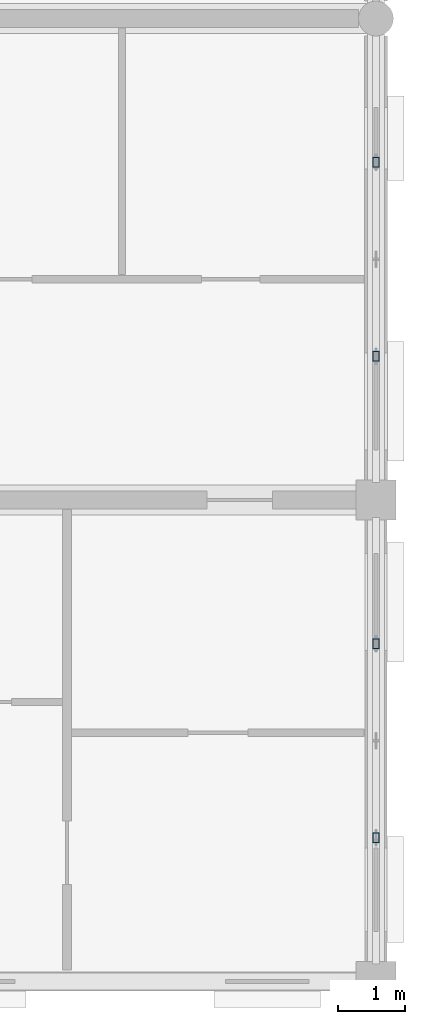
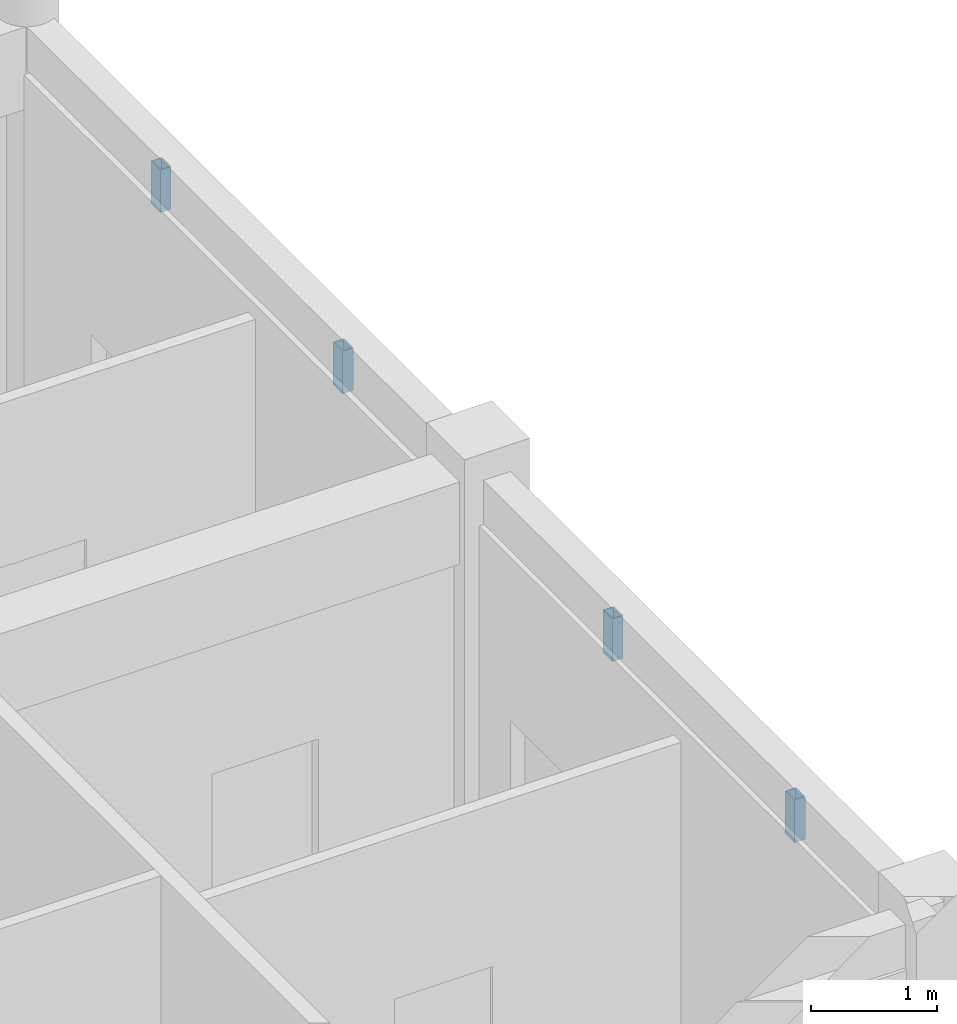
# One storey, part 50 of 138: 4 members.
"""IFC4 building model written with IfcOpenShell, lengths in metres."""

from ifc_helpers import new_model, si_unit, direction, frame, origin, origin_2d, place, context, subcontext, project, spatial, hollow_rectangle, extrude, material, material_profile, profile_set, type_object, element, save


model = new_model("IFC4")

# Units and contexts
model_context = context("Model", 3, precision=1e-05, world=origin(), true_north=direction((0.0, 1.0)))
body_context = subcontext(model_context, "Body", "Model", "MODEL_VIEW")
ifc_project = project(units=[si_unit("LENGTHUNIT", "METRE"), si_unit("AREAUNIT", "SQUARE_METRE"), si_unit("VOLUMEUNIT", "CUBIC_METRE"), si_unit("PLANEANGLEUNIT", "RADIAN"), si_unit("MASSUNIT", "GRAM", prefix="KILO"), si_unit("THERMODYNAMICTEMPERATUREUNIT", "KELVIN"), si_unit("POWERUNIT", "WATT")], contexts=[model_context])

# Site, building, storey
site_placement = place(None, origin())
site = spatial("IfcSite", under=ifc_project, at=site_placement, CompositionType="ELEMENT")
building_placement = place(site_placement, origin())
building = spatial("IfcBuilding", under=site, at=building_placement, Name="Tavuni Mirador Residences", CompositionType="ELEMENT")
storey_placement = place(building_placement, origin())
storey = spatial("IfcBuildingStorey", under=building, at=storey_placement, Name="L00", CompositionType="ELEMENT", Elevation=0.0)

# Members
ifc_material = material(Name="Structural steel S355", Category="steel")
ifc_material_profile = material_profile(ifc_material, hollow_rectangle(XDim=0.10009765625, YDim=0.14990234375, WallThickness=0.008056640625, at=origin_2d()), Name="RHS 150x100x8.0", Category="steel")
ifc_profile_set = profile_set([ifc_material_profile], Name="Structural steel S355")
member_type = type_object("IfcMemberType", Name="MT-BR-RHS150", PredefinedType="BRACE", material=ifc_profile_set)
for number, where, z_axis, x_axis, name in (
    (1, (118.800048828125, 88.548095703125, 3.615478515625), (0.0, 0.0, 1.0), (1.0, 0.0, 0.0), "ARCH-BLKD-E-00-V1"),
    (2, (118.800048828125, 91.451904296875, 3.615478515625), (0.0, 0.0, 1.0), (1.0, 0.0, 0.0), "ARCH-BLKD-E-00-V2"),
    (3, (118.800048828125, 95.748046875, 3.615478515625), (0.0, 0.0, 1.0), (1.0, 0.0, 0.0), "ARCH-BLKD-E-01-V1"),
    (4, (118.800048828125, 98.652099609375, 3.615478515625), (0.0, 0.0, 1.0), (1.0, 0.0, 0.0), "ARCH-BLKD-E-01-V2"),
):
    element("IfcMember", number, at=place(storey_placement, frame(where, z_axis=z_axis, x_axis=x_axis)), inside=storey, type_object=member_type, Name=name, PredefinedType="BRACE", context=body_context, shape_type="SweptSolid", body=[
        extrude(hollow_rectangle(XDim=0.10009765625, YDim=0.14990234375, WallThickness=0.008056640625, at=origin_2d()), origin(), (0.0, 0.0, 1.0), 0.41455078125),
    ])

save(model, "model.ifc")
